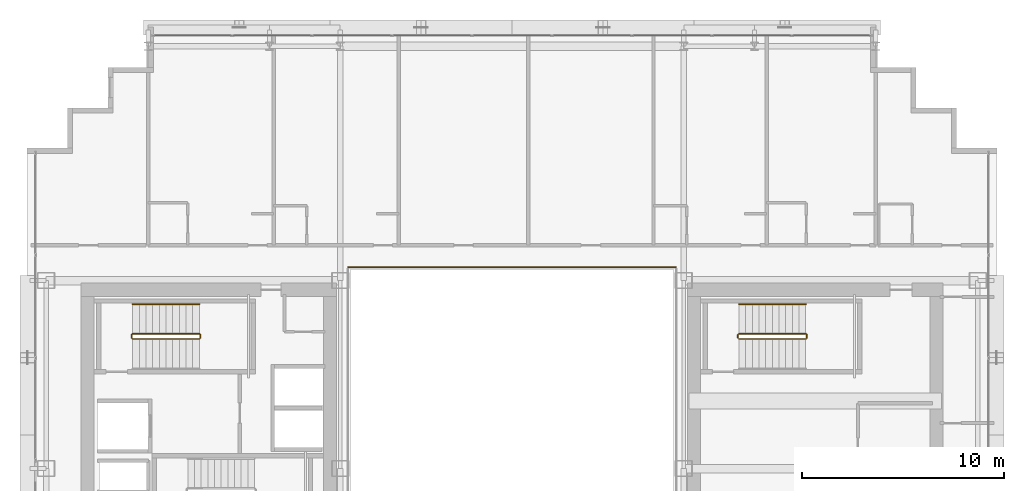
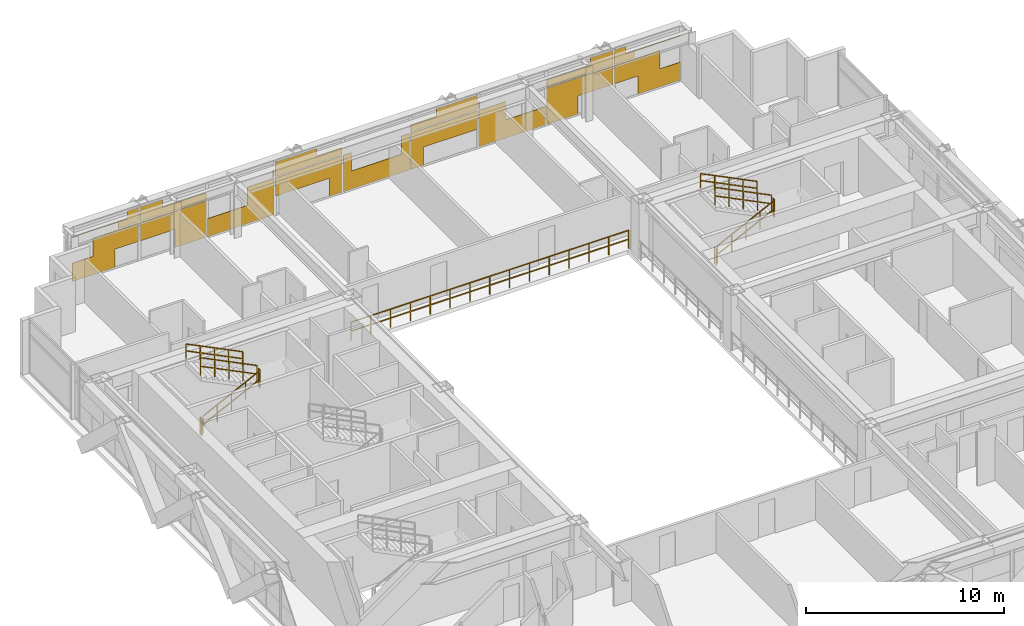
# One storey, part 35 of 35: 11 railings, 1 covering.
"""IFC4 building model written with IfcOpenShell, lengths in metres."""

import ifcopenshell
import ifcopenshell.guid

model = None  # the IFC model being written
_history = None  # IfcOwnerHistory: only IFC2X3 demands one
_inside = {}  # id of a spatial element -> (the spatial element, [elements in it])
_under = {}  # id of a project, library or spatial element -> (it, [spatial elements below it])
_declared = {}  # id of a project -> (the project, [libraries it declares])
_typed = {}  # id of a type object -> (the type object, [elements of that type])
_made_of = {}  # id of a material, layer set ... -> (it, [elements and type objects made of it])


def new_model(schema):
    """Start an empty IFC model of exactly this schema.

    Asked for "IFC4X3", IfcOpenShell would pick the latest addendum, in which some entities
    have other attributes; the version numbers below select the first issue.
    IFC2X3 requires an IfcOwnerHistory on every rooted entity: one is made here for all.
    """
    global model, _history
    if schema == "IFC4X3":
        model = ifcopenshell.file(schema_version=(4, 3, 0, 0))
    else:
        model = ifcopenshell.file(schema=schema)
    _inside.clear()
    _under.clear()
    _declared.clear()
    _typed.clear()
    _made_of.clear()
    _history = None
    if model.schema == "IFC2X3":
        org = make("IfcOrganization", Name="unknown")
        user = make(
            "IfcPersonAndOrganization",
            ThePerson=make("IfcPerson", FamilyName="unknown"),
            TheOrganization=org,
        )
        app = make(
            "IfcApplication",
            ApplicationDeveloper=org,
            Version="unknown",
            ApplicationFullName="unknown",
            ApplicationIdentifier="unknown",
        )
        _history = make(
            "IfcOwnerHistory",
            OwningUser=user,
            OwningApplication=app,
            ChangeAction="ADDED",
            CreationDate=0,
        )
    return model


def make(cls, **values):
    """One entity of the class cls with the attributes given. An attribute that is None is left unset."""
    return model.create_entity(
        cls, **{name: value for name, value in values.items() if value is not None}
    )


def rooted(cls, **values):
    """An entity with a GlobalId (a new one), such as an element, a storey or a relation."""
    return make(cls, GlobalId=ifcopenshell.guid.new(), OwnerHistory=_history, **values)


def si_unit(unit_type, name, prefix=None):
    """IfcSIUnit, for example si_unit("LENGTHUNIT", "METRE", prefix="MILLI")."""
    return make("IfcSIUnit", UnitType=unit_type, Prefix=prefix, Name=name)


def assignment(units):
    """IfcUnitAssignment: the units of a project."""
    return None if units is None else make("IfcUnitAssignment", Units=units)


def point(xyz):
    """IfcCartesianPoint."""
    return None if xyz is None else make("IfcCartesianPoint", Coordinates=xyz)


def direction(xyz):
    """IfcDirection."""
    return None if xyz is None else make("IfcDirection", DirectionRatios=xyz)


def frame(location, z_axis=None, x_axis=None):
    """IfcAxis2Placement3D, a coordinate frame: its origin and axes. An axis left out is left unset."""
    return make(
        "IfcAxis2Placement3D",
        Location=point(location),
        Axis=direction(z_axis),
        RefDirection=direction(x_axis),
    )


def frame_2d(location, x_axis=None):
    """IfcAxis2Placement2D, a coordinate frame in the plane: its origin and x axis."""
    return make(
        "IfcAxis2Placement2D", Location=point(location), RefDirection=direction(x_axis)
    )


def origin():
    """The frame at (0, 0, 0) with its axes left unset."""
    return frame((0.0, 0.0, 0.0))


def origin_2d():
    """The frame at (0, 0) in the plane with its x axis left unset."""
    return frame_2d((0.0, 0.0))


def place(relative_to, where):
    """IfcLocalPlacement: puts the frame where relative to a parent placement (None: the world)."""
    return make(
        "IfcLocalPlacement", PlacementRelTo=relative_to, RelativePlacement=where
    )


def context(
    kind, dimensions, precision=None, world=None, true_north=None, identifier=None
):
    """IfcGeometricRepresentationContext, for example the 3D "Model" context."""
    return make(
        "IfcGeometricRepresentationContext",
        ContextIdentifier=identifier,
        ContextType=kind,
        CoordinateSpaceDimension=dimensions,
        Precision=precision,
        WorldCoordinateSystem=world,
        TrueNorth=true_north,
    )


def subcontext(parent, identifier, kind, view, scale=None):
    """IfcGeometricRepresentationSubContext, for example "Body" below "Model"."""
    return make(
        "IfcGeometricRepresentationSubContext",
        ContextIdentifier=identifier,
        ContextType=kind,
        ParentContext=parent,
        TargetScale=scale,
        TargetView=view,
    )


def project(units=None, contexts=None):
    """IfcProject with its units and contexts."""
    return rooted(
        "IfcProject",
        Name="project",
        RepresentationContexts=contexts,
        UnitsInContext=assignment(units),
    )


def spatial(cls, under=None, at=None, **own):
    """A site, building, storey or space (cls), placed at a placement, below another one or the project."""
    s = rooted(cls, ObjectPlacement=at, **own)
    if under is not None:
        _under.setdefault(under.id(), (under, []))[1].append(s)
    return s


def profile(cls, at=None, kind="AREA", **sizes):
    """A parametric profile (cls). Its sizes go by their IFC names, for example OverallWidth=200.0."""
    return make(cls, ProfileType=kind, Position=at, **sizes)


def rectangle(**sizes):
    """IfcRectangleProfileDef."""
    return profile("IfcRectangleProfileDef", **sizes)


def extrude(swept, where, along, depth):
    """IfcExtrudedAreaSolid: the profile swept, set in the frame where, extruded along a direction by depth."""
    return make(
        "IfcExtrudedAreaSolid",
        SweptArea=swept,
        Position=where,
        ExtrudedDirection=direction(along),
        Depth=depth,
    )


def shape(context_of_items, identifier, shape_type, items):
    """IfcShapeRepresentation: the items that make up one representation, for example the "Body"."""
    return make(
        "IfcShapeRepresentation",
        ContextOfItems=context_of_items,
        RepresentationIdentifier=identifier,
        RepresentationType=shape_type,
        Items=items,
    )


def material(Name=None, Category=None):
    """IfcMaterial."""
    return make("IfcMaterial", Name=Name, Category=Category)


def layer(
    of_material, thickness, ventilated=None, Name=None, Category=None, Priority=None
):
    """IfcMaterialLayer: one layer of a wall or slab, of a material (None: an air gap)."""
    return make(
        "IfcMaterialLayer",
        Material=of_material,
        LayerThickness=thickness,
        IsVentilated=ventilated,
        Name=Name,
        Category=Category,
        Priority=Priority,
    )


def layer_set(layers, Name=None):
    """IfcMaterialLayerSet."""
    return make("IfcMaterialLayerSet", MaterialLayers=layers, LayerSetName=Name)


def made_of(thing, what):
    """Note that an element or type object is made of a material, layer set ...; save() writes the relation."""
    if what is not None:
        _made_of.setdefault(what.id(), (what, []))[1].append(thing)
    return thing


def type_object(cls, material=None, **own):
    """A type object (cls), such as IfcWallType, which elements share."""
    return made_of(rooted(cls, **own), material)


def element(
    cls,
    number,
    at=None,
    inside=None,
    cuts=None,
    type_object=None,
    material=None,
    context=None,
    identifier="Body",
    shape_type=None,
    held_by="IfcProductDefinitionShape",
    body=None,
    shapes=None,
    **own,
):
    """One element of the class cls, such as IfcWall. Its Tag is "e" and its number.

    at: its placement. inside: the storey or other place that contains it. cuts: it is an
    opening in that element (IfcRelVoidsElement). A single representation is given by context,
    identifier, shape_type and body (its items); several are given by shapes. held_by: the class
    of the entity that holds the representations. save() writes the other relations.
    """
    e = rooted(cls, Tag="e%d" % number, ObjectPlacement=at, **own)
    if body is not None:
        shapes = [shape(context, identifier, shape_type, body)]
    if shapes is not None:
        e.Representation = make(held_by, Representations=shapes)
    if inside is not None:
        _inside.setdefault(inside.id(), (inside, []))[1].append(e)
    if cuts is not None:
        rooted(
            "IfcRelVoidsElement", RelatingBuildingElement=cuts, RelatedOpeningElement=e
        )
    if type_object is not None:
        _typed.setdefault(type_object.id(), (type_object, []))[1].append(e)
    return made_of(e, material)


def aggregate(whole, parts):
    """IfcRelAggregates: a whole, such as a stair, and the parts it consists of."""
    return rooted("IfcRelAggregates", RelatingObject=whole, RelatedObjects=parts)


def save(model, path):
    """Write the relations noted so far, then the file.

    IfcRelAggregates (storeys below a building ...), IfcRelContainedInSpatialStructure (elements
    in a storey), IfcRelDefinesByType, IfcRelAssociatesMaterial and IfcRelDeclares: one each for
    every whole, place, type object, material and project.
    """
    for whole, parts in _under.values():
        aggregate(whole, parts)
    for where, things in _inside.values():
        rooted(
            "IfcRelContainedInSpatialStructure",
            RelatedElements=things,
            RelatingStructure=where,
        )
    for kind, things in _typed.values():
        rooted("IfcRelDefinesByType", RelatedObjects=things, RelatingType=kind)
    for what, things in _made_of.values():
        rooted("IfcRelAssociatesMaterial", RelatedObjects=things, RelatingMaterial=what)
    for by, libraries in _declared.values():
        rooted("IfcRelDeclares", RelatingContext=by, RelatedDefinitions=libraries)
    model.write(path)


model = new_model("IFC4")

# Units and contexts
model_context = context("Model", 3, precision=1e-05, world=origin(), true_north=direction((0.0, 1.0)))
body_context = subcontext(model_context, "Body", "Model", "MODEL_VIEW")
ifc_project = project(units=[si_unit("LENGTHUNIT", "METRE"), si_unit("AREAUNIT", "SQUARE_METRE"), si_unit("VOLUMEUNIT", "CUBIC_METRE"), si_unit("PLANEANGLEUNIT", "RADIAN"), si_unit("MASSUNIT", "GRAM", prefix="KILO")], contexts=[model_context])

# Site, building, storey
site_placement = place(None, origin())
site = spatial("IfcSite", under=ifc_project, at=site_placement, CompositionType="ELEMENT")
building_placement = place(site_placement, origin())
building = spatial("IfcBuilding", under=site, at=building_placement, Name="Ocotamira Hotel", CompositionType="ELEMENT")
storey_placement = place(building_placement, frame((0.0, 0.0, 118.800048828125)))
storey = spatial("IfcBuildingStorey", under=building, at=storey_placement, Name="L29", CompositionType="ELEMENT", Elevation=118.800048828125)

# Covering
ifc_material_1 = material(Name="Insulated pale-metal aluminium spandrel panel", Category="aluminium")
ifc_layer = layer(ifc_material_1, 0.044921875)
ifc_layer_set = layer_set([ifc_layer], Name="Insulated pale-metal aluminium spandrel panel")
covering_type = type_object("IfcCoveringType", Name="COV-INFILL-45", PredefinedType="CLADDING", material=ifc_layer_set)
covering_placement = place(storey_placement, origin())
element("IfcCovering", 1, at=covering_placement, inside=storey, type_object=covering_type, Name="L29 Curtain Wall Infill CW-3 CW-L29-N", PredefinedType="CLADDING", context=body_context, shape_type="SweptSolid", body=[
    extrude(rectangle(XDim=2.464111328125, YDim=0.044921875, at=origin_2d()), frame((15.512451171875, 49.580078125, 0.0751953125), z_axis=(0.0, 0.0, 1.0), x_axis=(1.0, 0.0, 0.0)), (0.0, 0.0, 1.0), 1.117919921875),
    extrude(rectangle(XDim=2.650146484375, YDim=0.044921875, at=origin_2d()), frame((16.7900390625, 49.580078125, 1.194091796875), z_axis=(0.0, 0.0, 1.0), x_axis=(1.0, 0.0, 0.0)), (0.0, 0.0, 1.0), 1.11767578125),
    extrude(rectangle(XDim=3.834716796875, YDim=0.044921875, at=origin_2d()), frame((16.19775390625, 49.580078125, 2.782470703125), z_axis=(0.0, 0.0, 1.0), x_axis=(1.0, 0.0, 0.0)), (0.0, 0.0, 1.0), 0.0302734375),
    extrude(rectangle(XDim=1.157958984375, YDim=0.044921875, at=origin_2d()), frame((17.5361328125, 49.580078125, 2.387939453125), z_axis=(0.0, 0.0, 1.0), x_axis=(1.0, 0.0, 0.0)), (0.0, 0.0, 1.0), 0.3935546875),
    extrude(rectangle(XDim=0.625732421875, YDim=0.044921875, at=origin_2d()), frame((17.80224609375, 49.580078125, 2.813720703125), z_axis=(0.0, 0.0, 1.0), x_axis=(1.0, 0.0, 0.0)), (0.0, 0.0, 1.0), 0.470703125),
    extrude(rectangle(XDim=3.87451171875, YDim=0.044921875, at=origin_2d()), frame((20.13330078125, 49.580078125, 1.194091796875), z_axis=(0.0, 0.0, 1.0), x_axis=(1.0, 0.0, 0.0)), (0.0, 0.0, 1.0), 1.11767578125),
    extrude(rectangle(XDim=1.815185546875, YDim=0.044921875, at=origin_2d()), frame((21.1630859375, 49.580078125, 0.0751953125), z_axis=(0.0, 0.0, 1.0), x_axis=(1.0, 0.0, 0.0)), (0.0, 0.0, 1.0), 1.117919921875),
    extrude(rectangle(XDim=3.87451171875, YDim=0.044921875, at=origin_2d()), frame((20.13330078125, 49.580078125, 2.387939453125), z_axis=(0.0, 0.0, 1.0), x_axis=(1.0, 0.0, 0.0)), (0.0, 0.0, 1.0), 0.4248046875),
    extrude(rectangle(XDim=1.314697265625, YDim=0.044921875, at=origin_2d()), frame((18.853515625, 49.580078125, 2.813720703125), z_axis=(0.0, 0.0, 1.0), x_axis=(1.0, 0.0, 0.0)), (0.0, 0.0, 1.0), 0.470703125),
    extrude(rectangle(XDim=3.87451171875, YDim=0.044921875, at=origin_2d()), frame((24.0888671875, 49.580078125, 0.0751953125), z_axis=(0.0, 0.0, 1.0), x_axis=(1.0, 0.0, 0.0)), (0.0, 0.0, 1.0), 1.117919921875),
    extrude(rectangle(XDim=1.561279296875, YDim=0.044921875, at=origin_2d()), frame((25.24560546875, 49.580078125, 1.194091796875), z_axis=(0.0, 0.0, 1.0), x_axis=(1.0, 0.0, 0.0)), (0.0, 0.0, 1.0), 1.11767578125),
    extrude(rectangle(XDim=0.069091796875, YDim=0.044921875, at=origin_2d()), frame((25.99169921875, 49.580078125, 2.387939453125), z_axis=(0.0, 0.0, 1.0), x_axis=(1.0, 0.0, 0.0)), (0.0, 0.0, 1.0), 0.4248046875),
    extrude(rectangle(XDim=3.87451171875, YDim=0.044921875, at=origin_2d()), frame((28.04443359375, 49.580078125, 1.194091796875), z_axis=(0.0, 0.0, 1.0), x_axis=(1.0, 0.0, 0.0)), (0.0, 0.0, 1.0), 1.11767578125),
    extrude(rectangle(XDim=0.726318359375, YDim=0.044921875, at=origin_2d()), frame((29.61865234375, 49.580078125, 0.0751953125), z_axis=(0.0, 0.0, 1.0), x_axis=(1.0, 0.0, 0.0)), (0.0, 0.0, 1.0), 1.117919921875),
    extrude(rectangle(XDim=3.87451171875, YDim=0.044921875, at=origin_2d()), frame((28.04443359375, 49.580078125, 2.387939453125), z_axis=(0.0, 0.0, 1.0), x_axis=(1.0, 0.0, 0.0)), (0.0, 0.0, 1.0), 0.4248046875),
    extrude(rectangle(XDim=2.403564453125, YDim=0.044921875, at=origin_2d()), frame((27.308837890625, 49.580078125, 2.813720703125), z_axis=(0.0, 0.0, 1.0), x_axis=(1.0, 0.0, 0.0)), (0.0, 0.0, 1.0), 0.470703125),
    extrude(rectangle(XDim=3.87451171875, YDim=0.044921875, at=origin_2d()), frame((32.0, 49.580078125, 0.0751953125), z_axis=(0.0, 0.0, 1.0), x_axis=(1.0, 0.0, 0.0)), (0.0, 0.0, 1.0), 1.117919921875),
    extrude(rectangle(XDim=0.472412109375, YDim=0.044921875, at=origin_2d()), frame((30.298828125, 49.580078125, 1.194091796875), z_axis=(0.0, 0.0, 1.0), x_axis=(1.0, 0.0, 0.0)), (0.0, 0.0, 1.0), 1.11767578125),
    extrude(rectangle(XDim=0.472412109375, YDim=0.044921875, at=origin_2d()), frame((33.701171875, 49.580078125, 1.194091796875), z_axis=(0.0, 0.0, 1.0), x_axis=(1.0, 0.0, 0.0)), (0.0, 0.0, 1.0), 1.11767578125),
    extrude(rectangle(XDim=0.726318359375, YDim=0.044921875, at=origin_2d()), frame((34.38134765625, 49.580078125, 0.0751953125), z_axis=(0.0, 0.0, 1.0), x_axis=(1.0, 0.0, 0.0)), (0.0, 0.0, 1.0), 1.117919921875),
    extrude(rectangle(XDim=3.87451171875, YDim=0.044921875, at=origin_2d()), frame((35.95556640625, 49.580078125, 1.194091796875), z_axis=(0.0, 0.0, 1.0), x_axis=(1.0, 0.0, 0.0)), (0.0, 0.0, 1.0), 1.11767578125),
    extrude(rectangle(XDim=3.87451171875, YDim=0.044921875, at=origin_2d()), frame((35.95556640625, 49.580078125, 2.387939453125), z_axis=(0.0, 0.0, 1.0), x_axis=(1.0, 0.0, 0.0)), (0.0, 0.0, 1.0), 0.4248046875),
    extrude(rectangle(XDim=2.403564453125, YDim=0.044921875, at=origin_2d()), frame((36.691162109375, 49.580078125, 2.813720703125), z_axis=(0.0, 0.0, 1.0), x_axis=(1.0, 0.0, 0.0)), (0.0, 0.0, 1.0), 0.470703125),
    extrude(rectangle(XDim=3.87451171875, YDim=0.044921875, at=origin_2d()), frame((39.9111328125, 49.580078125, 0.0751953125), z_axis=(0.0, 0.0, 1.0), x_axis=(1.0, 0.0, 0.0)), (0.0, 0.0, 1.0), 1.117919921875),
    extrude(rectangle(XDim=1.561279296875, YDim=0.044921875, at=origin_2d()), frame((38.75439453125, 49.580078125, 1.194091796875), z_axis=(0.0, 0.0, 1.0), x_axis=(1.0, 0.0, 0.0)), (0.0, 0.0, 1.0), 1.11767578125),
    extrude(rectangle(XDim=0.069091796875, YDim=0.044921875, at=origin_2d()), frame((38.00830078125, 49.580078125, 2.387939453125), z_axis=(0.0, 0.0, 1.0), x_axis=(1.0, 0.0, 0.0)), (0.0, 0.0, 1.0), 0.4248046875),
    extrude(rectangle(XDim=1.815185546875, YDim=0.044921875, at=origin_2d()), frame((42.8369140625, 49.580078125, 0.0751953125), z_axis=(0.0, 0.0, 1.0), x_axis=(1.0, 0.0, 0.0)), (0.0, 0.0, 1.0), 1.117919921875),
    extrude(rectangle(XDim=3.87451171875, YDim=0.044921875, at=origin_2d()), frame((43.86669921875, 49.580078125, 1.194091796875), z_axis=(0.0, 0.0, 1.0), x_axis=(1.0, 0.0, 0.0)), (0.0, 0.0, 1.0), 1.11767578125),
    extrude(rectangle(XDim=3.87451171875, YDim=0.044921875, at=origin_2d()), frame((43.86669921875, 49.580078125, 2.387939453125), z_axis=(0.0, 0.0, 1.0), x_axis=(1.0, 0.0, 0.0)), (0.0, 0.0, 1.0), 0.4248046875),
    extrude(rectangle(XDim=1.314697265625, YDim=0.044921875, at=origin_2d()), frame((45.146484375, 49.580078125, 2.813720703125), z_axis=(0.0, 0.0, 1.0), x_axis=(1.0, 0.0, 0.0)), (0.0, 0.0, 1.0), 0.470703125),
    extrude(rectangle(XDim=2.650146484375, YDim=0.044921875, at=origin_2d()), frame((47.2099609375, 49.580078125, 1.194091796875), z_axis=(0.0, 0.0, 1.0), x_axis=(1.0, 0.0, 0.0)), (0.0, 0.0, 1.0), 1.11767578125),
    extrude(rectangle(XDim=2.464111328125, YDim=0.044921875, at=origin_2d()), frame((48.487548828125, 49.580078125, 0.0751953125), z_axis=(0.0, 0.0, 1.0), x_axis=(1.0, 0.0, 0.0)), (0.0, 0.0, 1.0), 1.117919921875),
    extrude(rectangle(XDim=1.157958984375, YDim=0.044921875, at=origin_2d()), frame((46.4638671875, 49.580078125, 2.387939453125), z_axis=(0.0, 0.0, 1.0), x_axis=(1.0, 0.0, 0.0)), (0.0, 0.0, 1.0), 0.3935546875),
    extrude(rectangle(XDim=3.834716796875, YDim=0.044921875, at=origin_2d()), frame((47.80224609375, 49.580078125, 2.782470703125), z_axis=(0.0, 0.0, 1.0), x_axis=(1.0, 0.0, 0.0)), (0.0, 0.0, 1.0), 0.0302734375),
    extrude(rectangle(XDim=0.625732421875, YDim=0.044921875, at=origin_2d()), frame((46.19775390625, 49.580078125, 2.813720703125), z_axis=(0.0, 0.0, 1.0), x_axis=(1.0, 0.0, 0.0)), (0.0, 0.0, 1.0), 0.470703125),
])

# Railings
ifc_material_2 = material(Name="Painted steel stair guardrail", Category="steel")
railing_type_1 = type_object("IfcRailingType", Name="RL-EDGE-1150", PredefinedType="GUARDRAIL", material=ifc_material_2)
railing_1_placement = place(storey_placement, frame((40.10009765625, 38.1201171875, 0.0)))
element("IfcRailing", 2, at=railing_1_placement, inside=storey, type_object=railing_type_1, Name="L29 Central Atrium Edge Guardrail N", PredefinedType="GUARDRAIL", context=body_context, shape_type="SweptSolid", body=[
    extrude(rectangle(XDim=0.048095703125, YDim=0.048095703125, at=origin_2d()), frame((0.0, 0.0, 1.1259765625), z_axis=(-1.0, 0.0, 0.0), x_axis=(0.0, -1.0, 0.0)), (0.0, 0.0, 1.0), 16.2001953125),
    extrude(rectangle(XDim=0.048095703125, YDim=0.048095703125, at=origin_2d()), frame((0.0, 0.0, 0.574951171875), z_axis=(-1.0, 0.0, 0.0), x_axis=(0.0, -1.0, 0.0)), (0.0, 0.0, 1.0), 16.2001953125),
    extrude(rectangle(XDim=0.0419921875, YDim=0.0419921875, at=origin_2d()), origin(), (0.0, 0.0, 1.0), 1.101806640625),
    extrude(rectangle(XDim=0.0419921875, YDim=0.0419921875, at=origin_2d()), frame((-1.1572265625, 0.0, 0.0)), (0.0, 0.0, 1.0), 1.101806640625),
    extrude(rectangle(XDim=0.0419921875, YDim=0.0419921875, at=origin_2d()), frame((-2.314208984375, 0.0, 0.0)), (0.0, 0.0, 1.0), 1.101806640625),
    extrude(rectangle(XDim=0.0419921875, YDim=0.0419921875, at=origin_2d()), frame((-3.471435546875, 0.0, 0.0)), (0.0, 0.0, 1.0), 1.101806640625),
    extrude(rectangle(XDim=0.0419921875, YDim=0.0419921875, at=origin_2d()), frame((-4.628662109375, 0.0, 0.0)), (0.0, 0.0, 1.0), 1.101806640625),
    extrude(rectangle(XDim=0.0419921875, YDim=0.0419921875, at=origin_2d()), frame((-5.785888671875, 0.0, 0.0)), (0.0, 0.0, 1.0), 1.101806640625),
    extrude(rectangle(XDim=0.0419921875, YDim=0.0419921875, at=origin_2d()), frame((-6.94287109375, 0.0, 0.0)), (0.0, 0.0, 1.0), 1.101806640625),
    extrude(rectangle(XDim=0.0419921875, YDim=0.0419921875, at=origin_2d()), frame((-8.10009765625, 0.0, 0.0)), (0.0, 0.0, 1.0), 1.101806640625),
    extrude(rectangle(XDim=0.0419921875, YDim=0.0419921875, at=origin_2d()), frame((-9.25732421875, 0.0, 0.0)), (0.0, 0.0, 1.0), 1.101806640625),
    extrude(rectangle(XDim=0.0419921875, YDim=0.0419921875, at=origin_2d()), frame((-10.414306640625, 0.0, 0.0)), (0.0, 0.0, 1.0), 1.101806640625),
    extrude(rectangle(XDim=0.0419921875, YDim=0.0419921875, at=origin_2d()), frame((-11.571533203125, 0.0, 0.0)), (0.0, 0.0, 1.0), 1.101806640625),
    extrude(rectangle(XDim=0.0419921875, YDim=0.0419921875, at=origin_2d()), frame((-12.728759765625, 0.0, 0.0)), (0.0, 0.0, 1.0), 1.101806640625),
    extrude(rectangle(XDim=0.0419921875, YDim=0.0419921875, at=origin_2d()), frame((-13.885986328125, 0.0, 0.0)), (0.0, 0.0, 1.0), 1.101806640625),
    extrude(rectangle(XDim=0.0419921875, YDim=0.0419921875, at=origin_2d()), frame((-15.04296875, 0.0, 0.0)), (0.0, 0.0, 1.0), 1.101806640625),
    extrude(rectangle(XDim=0.0419921875, YDim=0.0419921875, at=origin_2d()), frame((-16.2001953125, 0.0, 0.0)), (0.0, 0.0, 1.0), 1.101806640625),
])
ifc_material_3 = material(Name="Brushed stainless steel handrail", Category="steel")
railing_type_2 = type_object("IfcRailingType", Name="RL-HAND-900", PredefinedType="HANDRAIL", material=ifc_material_3)
for number, where, name in (
    (3, (16.530029296875, 36.280029296875, 2.127197265625), "L29 ST-2 stair handrail 2"),
    (4, (46.530029296875, 36.280029296875, 2.127197265625), "L29 ST-4 stair handrail 2"),
):
    element("IfcRailing", number, at=place(storey_placement, frame(where)), inside=storey, type_object=railing_type_2, Name=name, PredefinedType="HANDRAIL", context=body_context, shape_type="SweptSolid", body=[
        extrude(rectangle(XDim=0.048095703125, YDim=0.048095703125, at=origin_2d()), frame((0.0, 0.0, 0.8759765625), z_axis=(-0.895893744519, 0.0, 0.4442683857), x_axis=(0.0, -1.0, 0.0)), (0.0, 0.0, 1.0), 3.68359375),
        extrude(rectangle(XDim=0.048095703125, YDim=0.048095703125, at=origin_2d()), frame((0.0, 0.0, 0.449951171875), z_axis=(-0.895893744519, 0.0, 0.4442683857), x_axis=(0.0, -1.0, 0.0)), (0.0, 0.0, 1.0), 3.68359375),
        extrude(rectangle(XDim=0.0419921875, YDim=0.0419921875, at=origin_2d()), origin(), (0.0, 0.0, 1.0), 0.851806640625),
        extrude(rectangle(XDim=0.0419921875, YDim=0.0419921875, at=origin_2d()), frame((-0.824951171875, 0.0, 0.4091796875)), (0.0, 0.0, 1.0), 0.851806640625),
        extrude(rectangle(XDim=0.0419921875, YDim=0.0419921875, at=origin_2d()), frame((-1.64990234375, 0.0, 0.818359375)), (0.0, 0.0, 1.0), 0.851806640625),
        extrude(rectangle(XDim=0.0419921875, YDim=0.0419921875, at=origin_2d()), frame((-2.47509765625, 0.0, 1.227294921875)), (0.0, 0.0, 1.0), 0.851806640625),
        extrude(rectangle(XDim=0.0419921875, YDim=0.0419921875, at=origin_2d()), frame((-3.300048828125, 0.0, 1.636474609375)), (0.0, 0.0, 1.0), 0.851806640625),
    ])
railing_type_3 = type_object("IfcRailingType", Name="RL-STAIR-1100", PredefinedType="GUARDRAIL", material=ifc_material_2)
railing_2_placement = place(storey_placement, frame((13.22998046875, 34.56005859375, 0.16357421875)))
element("IfcRailing", 5, at=railing_2_placement, inside=storey, type_object=railing_type_3, Name="L29 ST-2 stair guard 1", PredefinedType="GUARDRAIL", context=body_context, shape_type="SweptSolid", body=[
    extrude(rectangle(XDim=0.048095703125, YDim=0.048095703125, at=origin_2d()), frame((0.0, 0.0, 1.076171875), z_axis=(0.895893744519, 0.0, 0.4442683857), x_axis=(0.0, 1.0, 0.0)), (0.0, 0.0, 1.0), 3.68359375),
    extrude(rectangle(XDim=0.048095703125, YDim=0.048095703125, at=origin_2d()), frame((0.0, 0.0, 0.550048828125), z_axis=(0.895893744519, 0.0, 0.4442683857), x_axis=(0.0, 1.0, 0.0)), (0.0, 0.0, 1.0), 3.68359375),
    extrude(rectangle(XDim=0.0419921875, YDim=0.0419921875, at=origin_2d()), origin(), (0.0, 0.0, 1.0), 1.052001953125),
    extrude(rectangle(XDim=0.0419921875, YDim=0.0419921875, at=origin_2d()), frame((0.824951171875, 0.0, 0.4091796875)), (0.0, 0.0, 1.0), 1.052001953125),
    extrude(rectangle(XDim=0.0419921875, YDim=0.0419921875, at=origin_2d()), frame((1.64990234375, 0.0, 0.818359375)), (0.0, 0.0, 1.0), 1.052001953125),
    extrude(rectangle(XDim=0.0419921875, YDim=0.0419921875, at=origin_2d()), frame((2.47509765625, 0.0, 1.227294921875)), (0.0, 0.0, 1.0), 1.052001953125),
    extrude(rectangle(XDim=0.0419921875, YDim=0.0419921875, at=origin_2d()), frame((3.300048828125, 0.0, 1.636474609375)), (0.0, 0.0, 1.0), 1.052001953125),
])
railing_3_placement = place(storey_placement, frame((16.580078125, 34.610107421875, 1.800048828125)))
element("IfcRailing", 6, at=railing_3_placement, inside=storey, type_object=railing_type_3, Name="L29 ST-2 stair guard 2", PredefinedType="GUARDRAIL", context=body_context, shape_type="SweptSolid", body=[
    extrude(rectangle(XDim=0.048095703125, YDim=0.048095703125, at=origin_2d()), frame((0.0, 0.0, 1.076171875), z_axis=(0.0, 1.0, 0.0), x_axis=(-1.0, 0.0, 0.0)), (0.0, 0.0, 1.0), 0.159912109375),
    extrude(rectangle(XDim=0.048095703125, YDim=0.048095703125, at=origin_2d()), frame((0.0, 0.0, 0.550048828125), z_axis=(0.0, 1.0, 0.0), x_axis=(-1.0, 0.0, 0.0)), (0.0, 0.0, 1.0), 0.159912109375),
    extrude(rectangle(XDim=0.0419921875, YDim=0.0419921875, at=origin_2d()), origin(), (0.0, 0.0, 1.0), 1.052001953125),
    extrude(rectangle(XDim=0.0419921875, YDim=0.0419921875, at=origin_2d()), frame((0.0, 0.159912109375, 0.0)), (0.0, 0.0, 1.0), 1.052001953125),
])
railing_4_placement = place(storey_placement, frame((16.530029296875, 34.820068359375, 1.963623046875)))
element("IfcRailing", 7, at=railing_4_placement, inside=storey, type_object=railing_type_3, Name="L29 ST-2 stair guard 3", PredefinedType="GUARDRAIL", context=body_context, shape_type="SweptSolid", body=[
    extrude(rectangle(XDim=0.048095703125, YDim=0.048095703125, at=origin_2d()), frame((0.0, 0.0, 1.076171875), z_axis=(-0.895920123917, 0.0, 0.444215186098), x_axis=(0.0, -1.0, 0.0)), (0.0, 0.0, 1.0), 3.683349609375),
    extrude(rectangle(XDim=0.048095703125, YDim=0.048095703125, at=origin_2d()), frame((0.0, 0.0, 0.550048828125), z_axis=(-0.895920123917, 0.0, 0.444215186098), x_axis=(0.0, -1.0, 0.0)), (0.0, 0.0, 1.0), 3.683349609375),
    extrude(rectangle(XDim=0.0419921875, YDim=0.0419921875, at=origin_2d()), origin(), (0.0, 0.0, 1.0), 1.052001953125),
    extrude(rectangle(XDim=0.0419921875, YDim=0.0419921875, at=origin_2d()), frame((-0.824951171875, 0.0, 0.4091796875)), (0.0, 0.0, 1.0), 1.052001953125),
    extrude(rectangle(XDim=0.0419921875, YDim=0.0419921875, at=origin_2d()), frame((-1.64990234375, 0.0, 0.818115234375)), (0.0, 0.0, 1.0), 1.052001953125),
    extrude(rectangle(XDim=0.0419921875, YDim=0.0419921875, at=origin_2d()), frame((-2.47509765625, 0.0, 1.22705078125)), (0.0, 0.0, 1.0), 1.052001953125),
    extrude(rectangle(XDim=0.0419921875, YDim=0.0419921875, at=origin_2d()), frame((-3.300048828125, 0.0, 1.63623046875)), (0.0, 0.0, 1.0), 1.052001953125),
])
railing_5_placement = place(storey_placement, frame((13.179931640625, 34.610107421875, 0.0)))
element("IfcRailing", 8, at=railing_5_placement, inside=storey, type_object=railing_type_3, Name="L29 ST-2 stair guard 4", PredefinedType="GUARDRAIL", context=body_context, shape_type="SweptSolid", body=[
    extrude(rectangle(XDim=0.048095703125, YDim=0.048095703125, at=origin_2d()), frame((0.0, 0.0, 1.076171875), z_axis=(0.0, 1.0, 0.0), x_axis=(-1.0, 0.0, 0.0)), (0.0, 0.0, 1.0), 0.159912109375),
    extrude(rectangle(XDim=0.048095703125, YDim=0.048095703125, at=origin_2d()), frame((0.0, 0.0, 0.550048828125), z_axis=(0.0, 1.0, 0.0), x_axis=(-1.0, 0.0, 0.0)), (0.0, 0.0, 1.0), 0.159912109375),
    extrude(rectangle(XDim=0.0419921875, YDim=0.0419921875, at=origin_2d()), origin(), (0.0, 0.0, 1.0), 1.052001953125),
    extrude(rectangle(XDim=0.0419921875, YDim=0.0419921875, at=origin_2d()), frame((0.0, 0.159912109375, 0.0)), (0.0, 0.0, 1.0), 1.052001953125),
])
railing_6_placement = place(storey_placement, frame((43.22998046875, 34.56005859375, 0.16357421875)))
element("IfcRailing", 9, at=railing_6_placement, inside=storey, type_object=railing_type_3, Name="L29 ST-4 stair guard 1", PredefinedType="GUARDRAIL", context=body_context, shape_type="SweptSolid", body=[
    extrude(rectangle(XDim=0.048095703125, YDim=0.048095703125, at=origin_2d()), frame((0.0, 0.0, 1.076171875), z_axis=(0.895893744519, 0.0, 0.4442683857), x_axis=(0.0, 1.0, 0.0)), (0.0, 0.0, 1.0), 3.68359375),
    extrude(rectangle(XDim=0.048095703125, YDim=0.048095703125, at=origin_2d()), frame((0.0, 0.0, 0.550048828125), z_axis=(0.895893744519, 0.0, 0.4442683857), x_axis=(0.0, 1.0, 0.0)), (0.0, 0.0, 1.0), 3.68359375),
    extrude(rectangle(XDim=0.0419921875, YDim=0.0419921875, at=origin_2d()), origin(), (0.0, 0.0, 1.0), 1.052001953125),
    extrude(rectangle(XDim=0.0419921875, YDim=0.0419921875, at=origin_2d()), frame((0.824951171875, 0.0, 0.4091796875)), (0.0, 0.0, 1.0), 1.052001953125),
    extrude(rectangle(XDim=0.0419921875, YDim=0.0419921875, at=origin_2d()), frame((1.64990234375, 0.0, 0.818359375)), (0.0, 0.0, 1.0), 1.052001953125),
    extrude(rectangle(XDim=0.0419921875, YDim=0.0419921875, at=origin_2d()), frame((2.47509765625, 0.0, 1.227294921875)), (0.0, 0.0, 1.0), 1.052001953125),
    extrude(rectangle(XDim=0.0419921875, YDim=0.0419921875, at=origin_2d()), frame((3.300048828125, 0.0, 1.636474609375)), (0.0, 0.0, 1.0), 1.052001953125),
])
railing_7_placement = place(storey_placement, frame((46.580078125, 34.610107421875, 1.800048828125)))
element("IfcRailing", 10, at=railing_7_placement, inside=storey, type_object=railing_type_3, Name="L29 ST-4 stair guard 2", PredefinedType="GUARDRAIL", context=body_context, shape_type="SweptSolid", body=[
    extrude(rectangle(XDim=0.048095703125, YDim=0.048095703125, at=origin_2d()), frame((0.0, 0.0, 1.076171875), z_axis=(0.0, 1.0, 0.0), x_axis=(-1.0, 0.0, 0.0)), (0.0, 0.0, 1.0), 0.159912109375),
    extrude(rectangle(XDim=0.048095703125, YDim=0.048095703125, at=origin_2d()), frame((0.0, 0.0, 0.550048828125), z_axis=(0.0, 1.0, 0.0), x_axis=(-1.0, 0.0, 0.0)), (0.0, 0.0, 1.0), 0.159912109375),
    extrude(rectangle(XDim=0.0419921875, YDim=0.0419921875, at=origin_2d()), origin(), (0.0, 0.0, 1.0), 1.052001953125),
    extrude(rectangle(XDim=0.0419921875, YDim=0.0419921875, at=origin_2d()), frame((0.0, 0.159912109375, 0.0)), (0.0, 0.0, 1.0), 1.052001953125),
])
railing_8_placement = place(storey_placement, frame((46.530029296875, 34.820068359375, 1.963623046875)))
element("IfcRailing", 11, at=railing_8_placement, inside=storey, type_object=railing_type_3, Name="L29 ST-4 stair guard 3", PredefinedType="GUARDRAIL", context=body_context, shape_type="SweptSolid", body=[
    extrude(rectangle(XDim=0.048095703125, YDim=0.048095703125, at=origin_2d()), frame((0.0, 0.0, 1.076171875), z_axis=(-0.895920123917, 0.0, 0.444215186098), x_axis=(0.0, -1.0, 0.0)), (0.0, 0.0, 1.0), 3.683349609375),
    extrude(rectangle(XDim=0.048095703125, YDim=0.048095703125, at=origin_2d()), frame((0.0, 0.0, 0.550048828125), z_axis=(-0.895920123917, 0.0, 0.444215186098), x_axis=(0.0, -1.0, 0.0)), (0.0, 0.0, 1.0), 3.683349609375),
    extrude(rectangle(XDim=0.0419921875, YDim=0.0419921875, at=origin_2d()), origin(), (0.0, 0.0, 1.0), 1.052001953125),
    extrude(rectangle(XDim=0.0419921875, YDim=0.0419921875, at=origin_2d()), frame((-0.824951171875, 0.0, 0.4091796875)), (0.0, 0.0, 1.0), 1.052001953125),
    extrude(rectangle(XDim=0.0419921875, YDim=0.0419921875, at=origin_2d()), frame((-1.64990234375, 0.0, 0.818115234375)), (0.0, 0.0, 1.0), 1.052001953125),
    extrude(rectangle(XDim=0.0419921875, YDim=0.0419921875, at=origin_2d()), frame((-2.47509765625, 0.0, 1.22705078125)), (0.0, 0.0, 1.0), 1.052001953125),
    extrude(rectangle(XDim=0.0419921875, YDim=0.0419921875, at=origin_2d()), frame((-3.300048828125, 0.0, 1.63623046875)), (0.0, 0.0, 1.0), 1.052001953125),
])
railing_9_placement = place(storey_placement, frame((43.179931640625, 34.610107421875, 0.0)))
element("IfcRailing", 12, at=railing_9_placement, inside=storey, type_object=railing_type_3, Name="L29 ST-4 stair guard 4", PredefinedType="GUARDRAIL", context=body_context, shape_type="SweptSolid", body=[
    extrude(rectangle(XDim=0.048095703125, YDim=0.048095703125, at=origin_2d()), frame((0.0, 0.0, 1.076171875), z_axis=(0.0, 1.0, 0.0), x_axis=(-1.0, 0.0, 0.0)), (0.0, 0.0, 1.0), 0.159912109375),
    extrude(rectangle(XDim=0.048095703125, YDim=0.048095703125, at=origin_2d()), frame((0.0, 0.0, 0.550048828125), z_axis=(0.0, 1.0, 0.0), x_axis=(-1.0, 0.0, 0.0)), (0.0, 0.0, 1.0), 0.159912109375),
    extrude(rectangle(XDim=0.0419921875, YDim=0.0419921875, at=origin_2d()), origin(), (0.0, 0.0, 1.0), 1.052001953125),
    extrude(rectangle(XDim=0.0419921875, YDim=0.0419921875, at=origin_2d()), frame((0.0, 0.159912109375, 0.0)), (0.0, 0.0, 1.0), 1.052001953125),
])

save(model, "model.ifc")
